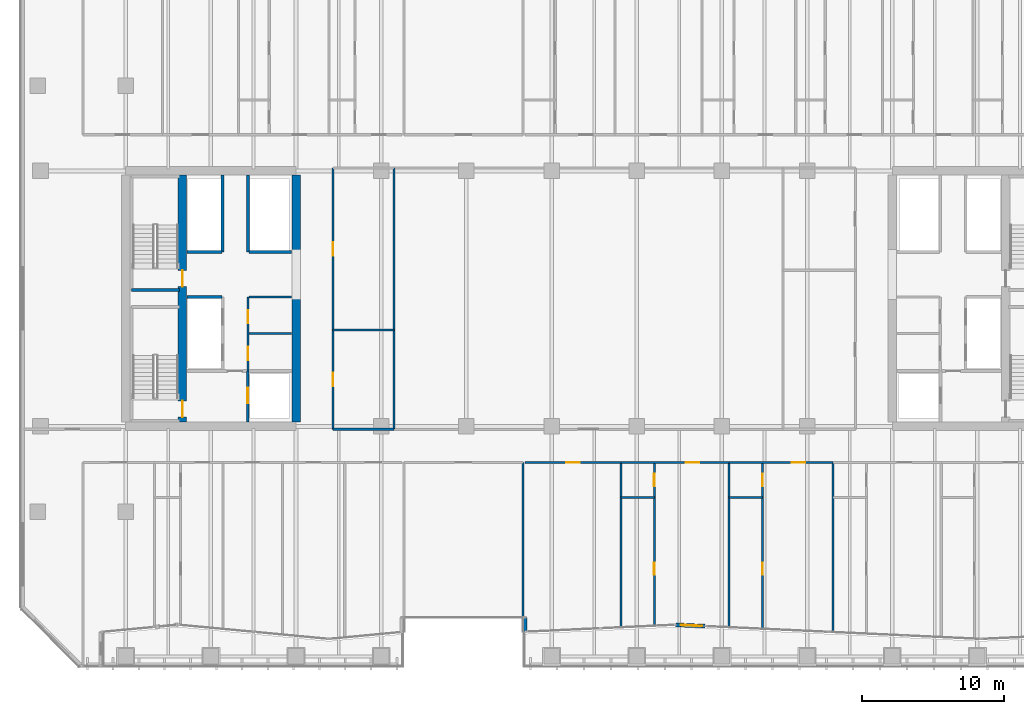
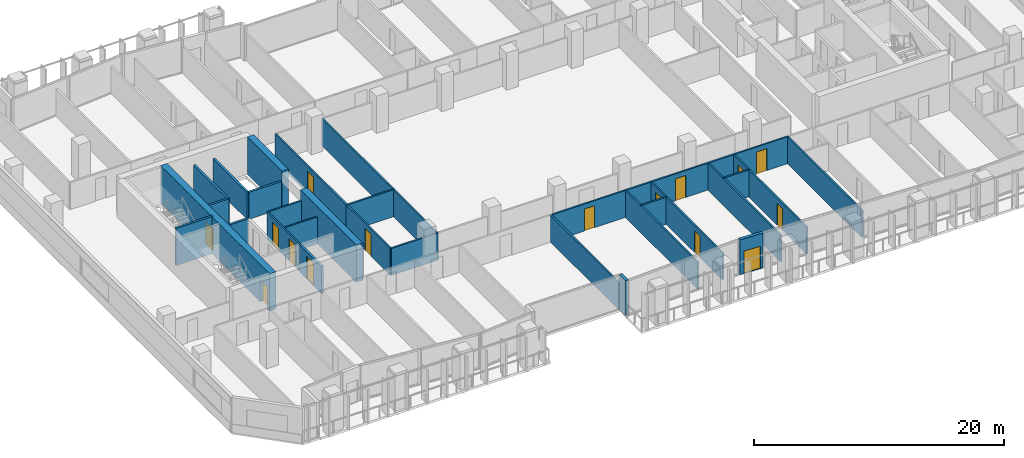
# One storey, part 19 of 31: 31 walls, 15 doors, 15 openings.
"""IFC4 building model written with IfcOpenShell, lengths in metres."""

from ifc_helpers import new_model, si_unit, direction, frame, frame_2d, origin, place, context, subcontext, project, spatial, rectangle, extrude, material, layer, layer_set, type_object, element, fill, save


model = new_model("IFC4")

# Units and contexts
model_context = context("Model", 3, precision=1e-05, world=origin(), true_north=direction((0.0, 1.0)))
body_context = subcontext(model_context, "Body", "Model", "MODEL_VIEW")
ifc_project = project(units=[si_unit("LENGTHUNIT", "METRE"), si_unit("AREAUNIT", "SQUARE_METRE"), si_unit("VOLUMEUNIT", "CUBIC_METRE"), si_unit("PLANEANGLEUNIT", "RADIAN"), si_unit("MASSUNIT", "GRAM", prefix="KILO")], contexts=[model_context])

# Site, building, storey
site_placement = place(None, origin())
site = spatial("IfcSite", under=ifc_project, at=site_placement, CompositionType="ELEMENT")
building_placement = place(site_placement, origin())
building = spatial("IfcBuilding", under=site, at=building_placement, Name="Tanjung Sevakor Pilgrim Tower", CompositionType="ELEMENT")
storey_placement = place(building_placement, frame((0.0, 0.0, 58.739990234375)))
storey = spatial("IfcBuildingStorey", under=building, at=storey_placement, Name="L16", CompositionType="ELEMENT", Elevation=58.739990234375)

# Walls
ifc_material_1 = material(Name="Concrete C60/75", Category="concrete")
ifc_layer_1 = layer(ifc_material_1, 0.60009765625)
ifc_layer_set_1 = layer_set([ifc_layer_1], Name="WALL-CW-600")
wall_type_1 = type_object("IfcWallType", Name="WALL-CW-600", PredefinedType="SHEAR", material=ifc_layer_set_1)
wall_1_placement = place(storey_placement, frame((36.0, 24.89990234375, 0.0), z_axis=(0.0, 0.0, 1.0), x_axis=(0.0, 1.0, 0.0)))
element("IfcWall", 1, at=wall_1_placement, inside=storey, type_object=wall_type_1, Name="L16 W Core Inner Shear Wall South", PredefinedType="SHEAR", context=body_context, shape_type="SweptSolid", body=[
    extrude(rectangle(XDim=8.900146484375, YDim=0.60009765625, at=frame_2d((4.4501953125, 0.0))), origin(), (0.0, 0.0, 1.0), 3.630126953125),
])
wall_2_placement = place(storey_placement, frame((36.0, 36.800048828125, 0.0), z_axis=(0.0, 0.0, 1.0), x_axis=(0.0, 1.0, 0.0)))
element("IfcWall", 2, at=wall_2_placement, inside=storey, type_object=wall_type_1, Name="L16 W Core Inner Shear Wall North", PredefinedType="SHEAR", context=body_context, shape_type="SweptSolid", body=[
    extrude(rectangle(XDim=5.5, YDim=0.60009765625, at=frame_2d((2.75, 0.0))), origin(), (0.0, 0.0, 1.0), 3.630126953125),
])

# Wall, openings, doors
wall_3_placement = place(storey_placement, frame((28.0, 24.89990234375, 0.0), z_axis=(0.0, 0.0, 1.0), x_axis=(0.0, 1.0, 0.0)))
wall_3 = element("IfcWall", 3, at=wall_3_placement, inside=storey, type_object=wall_type_1, Name="L16 W Core Stair Spine Wall", PredefinedType="SHEAR", context=body_context, shape_type="SweptSolid", body=[
    extrude(rectangle(XDim=17.400146484375, YDim=0.60009765625, at=frame_2d((8.7001953125, 0.0))), origin(), (0.0, 0.0, 1.0), 3.630126953125),
])
opening_1_placement = place(wall_3_placement, frame((0.35009765625, 0.0, 0.0)))
opening_1 = element("IfcOpeningElement", 4, at=opening_1_placement, cuts=wall_3, Name="Opening ID-ST1", PredefinedType="OPENING", context=body_context, shape_type="SweptSolid", body=[
    extrude(rectangle(XDim=1.14990234375, YDim=2.14990234375, at=frame_2d((0.574951171875, 1.074951171875))), frame((0.0, 0.31005859375, 0.0), z_axis=(0.0, -1.0, 0.0), x_axis=(1.0, 0.0, 0.0)), (0.0, 0.0, 1.0), 0.6201171875),
])
opening_2_placement = place(wall_3_placement, frame((9.550048828125, 0.0, 0.0)))
opening_2 = element("IfcOpeningElement", 5, at=opening_2_placement, cuts=wall_3, Name="Opening ID-ST1", PredefinedType="OPENING", context=body_context, shape_type="SweptSolid", body=[
    extrude(rectangle(XDim=1.14990234375, YDim=2.14990234375, at=frame_2d((0.574951171875, 1.074951171875))), frame((0.0, 0.31005859375, 0.0), z_axis=(0.0, -1.0, 0.0), x_axis=(1.0, 0.0, 0.0)), (0.0, 0.0, 1.0), 0.6201171875),
])
ifc_material_2 = material(Name="Fire-Rated Steel S355J2", Category="steel")
door_type_1 = type_object("IfcDoorType", Name="DT-FIRE-1150", OperationType="NOTDEFINED", PredefinedType="DOOR", material=ifc_material_2)
door_1_placement = place(opening_1_placement, origin())
door_1 = element("IfcDoor", 6, at=door_1_placement, inside=storey, type_object=door_type_1, Name="L16 TS-W1 Stair Fire Door", OperationType="SINGLE_SWING_RIGHT", OverallHeight=2.14990234375, OverallWidth=1.14990234375, PredefinedType="DOOR", context=body_context, shape_type="SweptSolid", body=[
    extrude(rectangle(XDim=1.14990234375, YDim=2.14990234375, at=frame_2d((0.574951171875, 1.074951171875))), frame((0.0, 0.02490234375, 0.0), z_axis=(0.0, -1.0, 0.0), x_axis=(1.0, 0.0, 0.0)), (0.0, 0.0, 1.0), 0.050048828125),
])
fill(opening_1, door_1)
door_2_placement = place(opening_2_placement, origin())
door_2 = element("IfcDoor", 7, at=door_2_placement, inside=storey, type_object=door_type_1, Name="L16 TS-W2 Stair Fire Door", OperationType="SINGLE_SWING_LEFT", OverallHeight=2.14990234375, OverallWidth=1.14990234375, PredefinedType="DOOR", context=body_context, shape_type="SweptSolid", body=[
    extrude(rectangle(XDim=1.14990234375, YDim=2.14990234375, at=frame_2d((0.574951171875, 1.074951171875))), frame((0.0, 0.02490234375, 0.0), z_axis=(0.0, -1.0, 0.0), x_axis=(1.0, 0.0, 0.0)), (0.0, 0.0, 1.0), 0.050048828125),
])
fill(opening_2, door_2)

# Walls
ifc_material_3 = material(Name="Concrete C40/50", Category="concrete")
ifc_layer_2 = layer(ifc_material_3, 0.14990234375)
ifc_layer_set_2 = layer_set([ifc_layer_2], Name="WT-COMP-150")
wall_type_2 = type_object("IfcWallType", Name="WT-COMP-150", PredefinedType="SOLIDWALL", material=ifc_layer_set_2)
for number, where, z_axis, x_axis, name in (
    (8, (32.679931640625, 31.14990234375, 0.0), (0.0, 0.0, 1.0), (1.0, 0.0, 0.0), "L16 Partition IW-L16-005"),
    (9, (32.679931640625, 33.719970703125, 0.0), (0.0, 0.0, 1.0), (1.0, 0.0, 0.0), "L16 Partition IW-L16-006"),
):
    element("IfcWall", number, at=place(storey_placement, frame(where, z_axis=z_axis, x_axis=x_axis)), inside=storey, type_object=wall_type_2, Name=name, PredefinedType="SOLIDWALL", context=body_context, shape_type="SweptSolid", body=[
        extrude(rectangle(XDim=3.0, YDim=0.14990234375, at=frame_2d((1.5, 0.0))), origin(), (0.0, 0.0, 1.0), 2.6298828125),
    ])

# Wall, openings, doors
wall_4_placement = place(storey_placement, frame((32.6201171875, 28.5, 0.0), z_axis=(0.0, 0.0, 1.0), x_axis=(0.0, 1.0, 0.0)))
wall_4 = element("IfcWall", 10, at=wall_4_placement, inside=storey, type_object=wall_type_2, Name="L16 Partition IW-L16-007", PredefinedType="SOLIDWALL", context=body_context, shape_type="SweptSolid", body=[
    extrude(rectangle(XDim=5.219970703125, YDim=0.14990234375, at=frame_2d((2.60986328125, 0.0))), origin(), (0.0, 0.0, 1.0), 2.6298828125),
])
opening_3_placement = place(wall_4_placement, frame((0.75, 0.0, 0.0)))
opening_3 = element("IfcOpeningElement", 11, at=opening_3_placement, cuts=wall_4, Name="Opening ID-FD2", PredefinedType="OPENING", context=body_context, shape_type="SweptSolid", body=[
    extrude(rectangle(XDim=0.949951171875, YDim=2.14990234375, at=frame_2d((0.47509765625, 1.074951171875))), frame((0.0, 0.0849609375, 0.0), z_axis=(0.0, -1.0, 0.0), x_axis=(1.0, 0.0, 0.0)), (0.0, 0.0, 1.0), 0.169921875),
])
opening_4_placement = place(wall_4_placement, frame((3.35009765625, 0.0, 0.0)))
opening_4 = element("IfcOpeningElement", 12, at=opening_4_placement, cuts=wall_4, Name="Opening ID-FD2", PredefinedType="OPENING", context=body_context, shape_type="SweptSolid", body=[
    extrude(rectangle(XDim=0.949951171875, YDim=2.14990234375, at=frame_2d((0.47509765625, 1.074951171875))), frame((0.0, 0.0849609375, 0.0), z_axis=(0.0, -1.0, 0.0), x_axis=(1.0, 0.0, 0.0)), (0.0, 0.0, 1.0), 0.169921875),
])
ifc_material_4 = material(Name="Fire-Rated Timber", Category="wood")
door_type_2 = type_object("IfcDoorType", Name="DT-FIRE-950", OperationType="NOTDEFINED", PredefinedType="DOOR", material=ifc_material_4)
door_3_placement = place(opening_3_placement, origin())
door_3 = element("IfcDoor", 13, at=door_3_placement, inside=storey, type_object=door_type_2, Name="L16 Accessible WC Door", OperationType="SINGLE_SWING_RIGHT", OverallHeight=2.14990234375, OverallWidth=0.949951171875, PredefinedType="DOOR", context=body_context, shape_type="SweptSolid", body=[
    extrude(rectangle(XDim=0.949951171875, YDim=2.14990234375, at=frame_2d((0.47509765625, 1.074951171875))), frame((0.0, 0.02490234375, 0.0), z_axis=(0.0, -1.0, 0.0), x_axis=(1.0, 0.0, 0.0)), (0.0, 0.0, 1.0), 0.050048828125),
])
fill(opening_3, door_3)
door_4_placement = place(opening_4_placement, origin())
door_4 = element("IfcDoor", 14, at=door_4_placement, inside=storey, type_object=door_type_2, Name="L16 Core Service Door", OperationType="SINGLE_SWING_LEFT", OverallHeight=2.14990234375, OverallWidth=0.949951171875, PredefinedType="DOOR", context=body_context, shape_type="SweptSolid", body=[
    extrude(rectangle(XDim=0.949951171875, YDim=2.14990234375, at=frame_2d((0.47509765625, 1.074951171875))), frame((0.0, 0.02490234375, 0.0), z_axis=(0.0, -1.0, 0.0), x_axis=(1.0, 0.0, 0.0)), (0.0, 0.0, 1.0), 0.050048828125),
])
fill(opening_4, door_4)

# Walls
wall_5_placement = place(storey_placement, frame((38.60009765625, 24.39990234375, 0.0), z_axis=(0.0, 0.0, 1.0), x_axis=(1.0, 0.0, 0.0)))
element("IfcWall", 15, at=wall_5_placement, inside=storey, type_object=wall_type_2, Name="L16 Partition IW-L16-023", PredefinedType="SOLIDWALL", context=body_context, shape_type="SweptSolid", body=[
    extrude(rectangle(XDim=4.2998046875, YDim=0.14990234375, at=frame_2d((2.14990234375, 0.0))), origin(), (0.0, 0.0, 1.0), 2.625244140625),
])
wall_6_placement = place(storey_placement, frame((38.60009765625, 31.39990234375, 0.0), z_axis=(0.0, 0.0, 1.0), x_axis=(1.0, 0.0, 0.0)))
element("IfcWall", 16, at=wall_6_placement, inside=storey, type_object=wall_type_2, Name="L16 Partition IW-L16-024", PredefinedType="SOLIDWALL", context=body_context, shape_type="SweptSolid", body=[
    extrude(rectangle(XDim=4.2998046875, YDim=0.14990234375, at=frame_2d((2.14990234375, 0.0))), origin(), (0.0, 0.0, 1.0), 2.6298828125),
])

# Wall, opening, door
wall_7_placement = place(storey_placement, frame((38.60009765625, 24.39990234375, 0.0), z_axis=(0.0, 0.0, 1.0), x_axis=(0.0, 1.0, 0.0)))
wall_7 = element("IfcWall", 17, at=wall_7_placement, inside=storey, type_object=wall_type_2, Name="L16 Partition IW-L16-025", PredefinedType="SOLIDWALL", context=body_context, shape_type="SweptSolid", body=[
    extrude(rectangle(XDim=7.0, YDim=0.14990234375, at=frame_2d((3.5, 0.0))), origin(), (0.0, 0.0, 1.0), 2.6298828125),
])
opening_5_placement = place(wall_7_placement, frame((3.02490234375, 0.0, 0.0)))
opening_5 = element("IfcOpeningElement", 18, at=opening_5_placement, cuts=wall_7, Name="Opening ID-RM1", PredefinedType="OPENING", context=body_context, shape_type="SweptSolid", body=[
    extrude(rectangle(XDim=0.949951171875, YDim=2.14990234375, at=frame_2d((0.47509765625, 1.074951171875))), frame((0.0, 0.0849609375, 0.0), z_axis=(0.0, -1.0, 0.0), x_axis=(1.0, 0.0, 0.0)), (0.0, 0.0, 1.0), 0.169921875),
])
ifc_material_5 = material(Name="Hardwood Timber", Category="wood")
door_type_3 = type_object("IfcDoorType", Name="DT-INT-950", OperationType="NOTDEFINED", PredefinedType="DOOR", material=ifc_material_5)
door_5_placement = place(opening_5_placement, origin())
door_5 = element("IfcDoor", 19, at=door_5_placement, inside=storey, type_object=door_type_3, Name="L16 Male Ablution Door", OperationType="SINGLE_SWING_RIGHT", OverallHeight=2.14990234375, OverallWidth=0.949951171875, PredefinedType="DOOR", context=body_context, shape_type="SweptSolid", body=[
    extrude(rectangle(XDim=0.949951171875, YDim=2.14990234375, at=frame_2d((0.47509765625, 1.074951171875))), frame((0.0, 0.02490234375, 0.0), z_axis=(0.0, -1.0, 0.0), x_axis=(1.0, 0.0, 0.0)), (0.0, 0.0, 1.0), 0.050048828125),
])
fill(opening_5, door_5)

wall_8_placement = place(storey_placement, frame((38.60009765625, 31.39990234375, 0.0), z_axis=(0.0, 0.0, 1.0), x_axis=(0.0, 1.0, 0.0)))
wall_8 = element("IfcWall", 20, at=wall_8_placement, inside=storey, type_object=wall_type_2, Name="L16 Partition IW-L16-027", PredefinedType="SOLIDWALL", context=body_context, shape_type="SweptSolid", body=[
    extrude(rectangle(XDim=11.400146484375, YDim=0.14990234375, at=frame_2d((5.7001953125, 0.0))), origin(), (0.0, 0.0, 1.0), 2.6298828125),
])
opening_6_placement = place(wall_8_placement, frame((5.22509765625, 0.0, 0.0)))
opening_6 = element("IfcOpeningElement", 21, at=opening_6_placement, cuts=wall_8, Name="Opening ID-RM1", PredefinedType="OPENING", context=body_context, shape_type="SweptSolid", body=[
    extrude(rectangle(XDim=0.949951171875, YDim=2.14990234375, at=frame_2d((0.47509765625, 1.074951171875))), frame((0.0, 0.0849609375, 0.0), z_axis=(0.0, -1.0, 0.0), x_axis=(1.0, 0.0, 0.0)), (0.0, 0.0, 1.0), 0.169921875),
])
door_6_placement = place(opening_6_placement, origin())
door_6 = element("IfcDoor", 22, at=door_6_placement, inside=storey, type_object=door_type_3, Name="L16 Male Washroom Door", OperationType="SINGLE_SWING_LEFT", OverallHeight=2.14990234375, OverallWidth=0.949951171875, PredefinedType="DOOR", context=body_context, shape_type="SweptSolid", body=[
    extrude(rectangle(XDim=0.949951171875, YDim=2.14990234375, at=frame_2d((0.47509765625, 1.074951171875))), frame((0.0, 0.02490234375, 0.0), z_axis=(0.0, -1.0, 0.0), x_axis=(1.0, 0.0, 0.0)), (0.0, 0.0, 1.0), 0.050048828125),
])
fill(opening_6, door_6)

# Walls
wall_9_placement = place(storey_placement, frame((42.89990234375, 24.39990234375, 0.0), z_axis=(0.0, 0.0, 1.0), x_axis=(0.0, 1.0, 0.0)))
element("IfcWall", 23, at=wall_9_placement, inside=storey, type_object=wall_type_2, Name="L16 Partition IW-L16-030", PredefinedType="SOLIDWALL", context=body_context, shape_type="SweptSolid", body=[
    extrude(rectangle(XDim=18.400146484375, YDim=0.14990234375, at=frame_2d((9.2001953125, 0.0))), origin(), (0.0, 0.0, 1.0), 2.6298828125),
])
wall_10_placement = place(storey_placement, frame((52.0, 11.139892578125, 0.0), z_axis=(0.0, 0.0, 1.0), x_axis=(0.0, 1.0, 0.0)))
element("IfcWall", 24, at=wall_10_placement, inside=storey, type_object=wall_type_2, Name="L16 Partition IW-L16-046", PredefinedType="SOLIDWALL", context=body_context, shape_type="SweptSolid", body=[
    extrude(rectangle(XDim=10.91015625, YDim=0.14990234375, at=frame_2d((5.455078125, 0.0))), origin(), (0.0, 0.0, 1.0), 2.6298828125),
])
wall_11_placement = place(storey_placement, frame((58.888916015625, 10.440673828125, 0.0), z_axis=(0.0, 0.0, 1.0), x_axis=(0.0, 1.0, 0.0)))
element("IfcWall", 25, at=wall_11_placement, inside=storey, type_object=wall_type_2, Name="L16 Partition IW-L16-063", PredefinedType="SOLIDWALL", context=body_context, shape_type="SweptSolid", body=[
    extrude(rectangle(XDim=11.609375, YDim=0.14990234375, at=frame_2d((5.8046875, 0.0))), origin(), (0.0, 0.0, 1.0), 2.6298828125),
])

# Wall, opening, door
wall_12_placement = place(storey_placement, frame((52.1201171875, 22.050048828125, 0.0), z_axis=(0.0, 0.0, 1.0), x_axis=(1.0, 0.0, 0.0)))
wall_12 = element("IfcWall", 26, at=wall_12_placement, inside=storey, type_object=wall_type_2, Name="L16 Partition IW-L16-064", PredefinedType="SOLIDWALL", context=body_context, shape_type="SweptSolid", body=[
    extrude(rectangle(XDim=6.768798828125, YDim=0.14990234375, at=frame_2d((3.38427734375, 0.0))), origin(), (0.0, 0.0, 1.0), 2.6298828125),
])
opening_7_placement = place(wall_12_placement, frame((2.909423828125, 0.0, 0.0)))
opening_7 = element("IfcOpeningElement", 27, at=opening_7_placement, cuts=wall_12, Name="Opening ID-FD2", PredefinedType="OPENING", context=body_context, shape_type="SweptSolid", body=[
    extrude(rectangle(XDim=0.949951171875, YDim=2.14990234375, at=frame_2d((0.47509765625, 1.074951171875))), frame((0.0, 0.0849609375, 0.0), z_axis=(0.0, -1.0, 0.0), x_axis=(1.0, 0.0, 0.0)), (0.0, 0.0, 1.0), 0.169921875),
])
door_7_placement = place(opening_7_placement, origin())
door_7 = element("IfcDoor", 28, at=door_7_placement, inside=storey, type_object=door_type_2, Name="Housekeeping Pantry Door", OperationType="SINGLE_SWING_LEFT", OverallHeight=2.14990234375, OverallWidth=0.949951171875, PredefinedType="DOOR", context=body_context, shape_type="SweptSolid", body=[
    extrude(rectangle(XDim=0.949951171875, YDim=2.14990234375, at=frame_2d((0.47509765625, 1.074951171875))), frame((0.0, 0.02490234375, 0.0), z_axis=(0.0, -1.0, 0.0), x_axis=(1.0, 0.0, 0.0)), (0.0, 0.0, 1.0), 0.050048828125),
])
fill(opening_7, door_7)

# Wall
wall_13_placement = place(storey_placement, frame((66.50390625, 10.445556640625, 0.0), z_axis=(0.0, 0.0, 1.0), x_axis=(0.0, 1.0, 0.0)))
element("IfcWall", 29, at=wall_13_placement, inside=storey, type_object=wall_type_2, Name="L16 Partition IW-L16-065", PredefinedType="SOLIDWALL", context=body_context, shape_type="SweptSolid", body=[
    extrude(rectangle(XDim=11.6044921875, YDim=0.14990234375, at=frame_2d((5.80224609375, 0.0))), origin(), (0.0, 0.0, 1.0), 2.6298828125),
])

# Wall, opening, door
wall_14_placement = place(storey_placement, frame((58.888916015625, 22.050048828125, 0.0), z_axis=(0.0, 0.0, 1.0), x_axis=(1.0, 0.0, 0.0)))
wall_14 = element("IfcWall", 30, at=wall_14_placement, inside=storey, type_object=wall_type_2, Name="L16 Partition IW-L16-068", PredefinedType="SOLIDWALL", context=body_context, shape_type="SweptSolid", body=[
    extrude(rectangle(XDim=7.614990234375, YDim=0.14990234375, at=frame_2d((3.8076171875, 0.0))), origin(), (0.0, 0.0, 1.0), 2.6298828125),
])
opening_8_placement = place(wall_14_placement, frame((4.547607421875, 0.0, 0.0)))
opening_8 = element("IfcOpeningElement", 31, at=opening_8_placement, cuts=wall_14, Name="Opening ID-FD2", PredefinedType="OPENING", context=body_context, shape_type="SweptSolid", body=[
    extrude(rectangle(XDim=0.949951171875, YDim=2.14990234375, at=frame_2d((0.47509765625, 1.074951171875))), frame((0.0, 0.0849609375, 0.0), z_axis=(0.0, -1.0, 0.0), x_axis=(1.0, 0.0, 0.0)), (0.0, 0.0, 1.0), 0.169921875),
])
door_8_placement = place(opening_8_placement, origin())
door_8 = element("IfcDoor", 32, at=door_8_placement, inside=storey, type_object=door_type_2, Name="Hostel Quad Entrance", OperationType="SINGLE_SWING_RIGHT", OverallHeight=2.14990234375, OverallWidth=0.949951171875, PredefinedType="DOOR", context=body_context, shape_type="SweptSolid", body=[
    extrude(rectangle(XDim=0.949951171875, YDim=2.14990234375, at=frame_2d((0.47509765625, 1.074951171875))), frame((0.0, 0.02490234375, 0.0), z_axis=(0.0, -1.0, 0.0), x_axis=(1.0, 0.0, 0.0)), (0.0, 0.0, 1.0), 0.050048828125),
])
fill(opening_8, door_8)

# Wall
wall_15_placement = place(storey_placement, frame((73.8369140625, 10.1044921875, 0.0), z_axis=(0.0, 0.0, 1.0), x_axis=(0.0, 1.0, 0.0)))
element("IfcWall", 33, at=wall_15_placement, inside=storey, type_object=wall_type_2, Name="L16 Partition IW-L16-069", PredefinedType="SOLIDWALL", context=body_context, shape_type="SweptSolid", body=[
    extrude(rectangle(XDim=11.945556640625, YDim=0.14990234375, at=frame_2d((5.97265625, 0.0))), origin(), (0.0, 0.0, 1.0), 2.6298828125),
])

# Wall, opening, door
wall_16_placement = place(storey_placement, frame((66.50390625, 22.050048828125, 0.0), z_axis=(0.0, 0.0, 1.0), x_axis=(1.0, 0.0, 0.0)))
wall_16 = element("IfcWall", 34, at=wall_16_placement, inside=storey, type_object=wall_type_2, Name="L16 Partition IW-L16-072", PredefinedType="SOLIDWALL", context=body_context, shape_type="SweptSolid", body=[
    extrude(rectangle(XDim=7.3330078125, YDim=0.14990234375, at=frame_2d((3.66650390625, 0.0))), origin(), (0.0, 0.0, 1.0), 2.6298828125),
])
opening_9_placement = place(wall_16_placement, frame((4.406494140625, 0.0, 0.0)))
opening_9 = element("IfcOpeningElement", 35, at=opening_9_placement, cuts=wall_16, Name="Opening ID-FD2", PredefinedType="OPENING", context=body_context, shape_type="SweptSolid", body=[
    extrude(rectangle(XDim=0.949951171875, YDim=2.14990234375, at=frame_2d((0.47509765625, 1.074951171875))), frame((0.0, 0.0849609375, 0.0), z_axis=(0.0, -1.0, 0.0), x_axis=(1.0, 0.0, 0.0)), (0.0, 0.0, 1.0), 0.169921875),
])
door_9_placement = place(opening_9_placement, origin())
door_9 = element("IfcDoor", 36, at=door_9_placement, inside=storey, type_object=door_type_2, Name="Hostel Quad Entrance", OperationType="SINGLE_SWING_LEFT", OverallHeight=2.14990234375, OverallWidth=0.949951171875, PredefinedType="DOOR", context=body_context, shape_type="SweptSolid", body=[
    extrude(rectangle(XDim=0.949951171875, YDim=2.14990234375, at=frame_2d((0.47509765625, 1.074951171875))), frame((0.0, 0.02490234375, 0.0), z_axis=(0.0, -1.0, 0.0), x_axis=(1.0, 0.0, 0.0)), (0.0, 0.0, 1.0), 0.050048828125),
])
fill(opening_9, door_9)

# Wall
ifc_material_6 = material(Name="Precast concrete C45/55", Category="concrete")
ifc_layer_3 = layer(ifc_material_6, 0.280029296875)
ifc_layer_set_3 = layer_set([ifc_layer_3], Name="WT-EW-STN2")
wall_type_3 = type_object("IfcWallType", Name="WT-EW-STN2", PredefinedType="SOLIDWALL", material=ifc_layer_set_3)
wall_17_placement = place(storey_placement, frame((52.139892578125, 11.139892578125, 0.0), z_axis=(0.0, 0.0, 1.0), x_axis=(0.0, -1.0, 0.0)))
element("IfcWall", 37, at=wall_17_placement, inside=storey, type_object=wall_type_3, Name="L16 MAIN Exterior Wall 9", PredefinedType="SOLIDWALL", context=body_context, shape_type="SweptSolid", body=[
    extrude(rectangle(XDim=1.01318359375, YDim=0.280029296875, at=frame_2d((0.506591796875, 0.0))), origin(), (0.0, 0.0, 1.0), 3.409912109375),
])

# Wall, opening, door
wall_18_placement = place(storey_placement, frame((62.75, 10.6201171875, 0.0), z_axis=(0.0, 0.0, 1.0), x_axis=(0.998920341886, -0.04645589916, 0.0)))
wall_18 = element("IfcWall", 38, at=wall_18_placement, inside=storey, type_object=wall_type_3, Name="L16 S-Curve Terrace Threshold Wall 10", PredefinedType="SOLIDWALL", context=body_context, shape_type="SweptSolid", body=[
    extrude(rectangle(XDim=2.06005859375, YDim=0.280029296875, at=frame_2d((1.030029296875, 0.0))), origin(), (0.0, 0.0, 1.0), 3.409912109375),
])
opening_10_placement = place(wall_18_placement, frame((0.35009765625, 0.0, 0.0)))
opening_10 = element("IfcOpeningElement", 39, at=opening_10_placement, cuts=wall_18, Name="Opening ED-TER-1500", PredefinedType="OPENING", context=body_context, shape_type="SweptSolid", body=[
    extrude(rectangle(XDim=1.5, YDim=2.199951171875, at=frame_2d((0.75, 1.10009765625))), frame((0.0, 0.14990234375, 0.0), z_axis=(0.0, -1.0, 0.0), x_axis=(1.0, 0.0, 0.0)), (0.0, 0.0, 1.0), 0.300048828125),
])
ifc_material_7 = material(Name="Anodised Aluminium and Laminated Glass", Category="aluminium")
door_type_4 = type_object("IfcDoorType", Name="DTYP-ED-TER-1500", OperationType="DOUBLE_DOOR_SINGLE_SWING", PredefinedType="DOOR", material=ifc_material_7)
door_10_placement = place(opening_10_placement, frame((1.5, 0.0, 0.0), z_axis=(0.0, 0.0, 1.0), x_axis=(-1.0, 0.0, 0.0)))
door_10 = element("IfcDoor", 40, at=door_10_placement, inside=storey, type_object=door_type_4, Name="L16 S-Curve Terrace Access Door 10", OperationType="SINGLE_SWING_LEFT", OverallHeight=2.199951171875, OverallWidth=1.5, PredefinedType="DOOR", context=body_context, shape_type="SweptSolid", body=[
    extrude(rectangle(XDim=1.5, YDim=2.199951171875, at=frame_2d((0.75, 1.10009765625))), frame((0.0, 0.02490234375, 0.0), z_axis=(0.0, -1.0, 0.0), x_axis=(1.0, 0.0, 0.0)), (0.0, 0.0, 1.0), 0.050048828125),
])
fill(opening_10, door_10)

# Wall
ifc_material_8 = material(Name="Concrete C40/50", Category="concrete")
ifc_layer_4 = layer(ifc_material_8, 0.199951171875)
ifc_layer_set_4 = layer_set([ifc_layer_4], Name="WT-FIRE-200")
wall_type_4 = type_object("IfcWallType", Name="WT-FIRE-200", PredefinedType="SOLIDWALL", material=ifc_layer_set_4)
wall_19_placement = place(storey_placement, frame((24.39990234375, 34.199951171875, 0.0), z_axis=(0.0, 0.0, 1.0), x_axis=(1.0, 0.0, 0.0)))
element("IfcWall", 41, at=wall_19_placement, inside=storey, type_object=wall_type_4, Name="L16 TS-W2 Shaft Wall 1", PredefinedType="SOLIDWALL", context=body_context, shape_type="SweptSolid", body=[
    extrude(rectangle(XDim=3.400146484375, YDim=0.199951171875, at=frame_2d((1.7001953125, 0.0))), origin(), (0.0, 0.0, 1.0), 3.630126953125),
])

# Wall, opening, door
ifc_material_9 = material(Name="Concrete C40/50", Category="concrete")
ifc_layer_5 = layer(ifc_material_9, 0.199951171875)
ifc_layer_set_5 = layer_set([ifc_layer_5], Name="WT-FPRT-200")
wall_type_5 = type_object("IfcWallType", Name="WT-FPRT-200", PredefinedType="SOLIDWALL", material=ifc_layer_set_5)
wall_20_placement = place(storey_placement, frame((32.60009765625, 24.919921875, 0.0), z_axis=(0.0, 0.0, 1.0), x_axis=(0.0, 1.0, 0.0)))
wall_20 = element("IfcWall", 42, at=wall_20_placement, inside=storey, type_object=wall_type_5, Name="L16 Partition IW-L16-001", PredefinedType="SOLIDWALL", context=body_context, shape_type="SweptSolid", body=[
    extrude(rectangle(XDim=3.580078125, YDim=0.199951171875, at=frame_2d((1.7900390625, 0.0))), origin(), (0.0, 0.0, 1.0), 2.6298828125),
])
opening_11_placement = place(wall_20_placement, frame((1.300048828125, 0.0, 0.0)))
opening_11 = element("IfcOpeningElement", 43, at=opening_11_placement, cuts=wall_20, Name="Opening LD-1100", PredefinedType="OPENING", context=body_context, shape_type="SweptSolid", body=[
    extrude(rectangle(XDim=1.10009765625, YDim=2.199951171875, at=frame_2d((0.550048828125, 1.10009765625))), frame((0.0, 0.10986328125, 0.0), z_axis=(0.0, -1.0, 0.0), x_axis=(1.0, 0.0, 0.0)), (0.0, 0.0, 1.0), 0.219970703125),
])
ifc_material_10 = material(Name="Brushed Stainless Steel S355J2", Category="steel")
door_type_5 = type_object("IfcDoorType", Name="DT-LIFT-1100", OperationType="SLIDING_TO_LEFT", PredefinedType="DOOR", material=ifc_material_10)
door_11_placement = place(opening_11_placement, origin())
door_11 = element("IfcDoor", 44, at=door_11_placement, inside=storey, type_object=door_type_5, Name="LD-FL-W", OperationType="SLIDING_TO_LEFT", OverallHeight=2.199951171875, OverallWidth=1.10009765625, PredefinedType="DOOR", context=body_context, shape_type="SweptSolid", body=[
    extrude(rectangle(XDim=1.10009765625, YDim=2.199951171875, at=frame_2d((0.550048828125, 1.10009765625))), frame((0.0, 0.02490234375, 0.0), z_axis=(0.0, -1.0, 0.0), x_axis=(1.0, 0.0, 0.0)), (0.0, 0.0, 1.0), 0.050048828125),
])
fill(opening_11, door_11)

# Walls
for number, where, z_axis, x_axis, name in (
    (45, (28.320068359375, 33.719970703125, 0.0), (0.0, 0.0, 1.0), (1.0, 0.0, 0.0), "L16 Partition IW-L16-003"),
    (46, (28.320068359375, 36.8798828125, 0.0), (0.0, 0.0, 1.0), (1.0, 0.0, 0.0), "L16 Partition IW-L16-008"),
):
    element("IfcWall", number, at=place(storey_placement, frame(where, z_axis=z_axis, x_axis=x_axis)), inside=storey, type_object=wall_type_5, Name=name, PredefinedType="SOLIDWALL", context=body_context, shape_type="SweptSolid", body=[
        extrude(rectangle(XDim=2.47998046875, YDim=0.199951171875, at=frame_2d((1.239990234375, 0.0))), origin(), (0.0, 0.0, 1.0), 2.6298828125),
    ])
wall_21_placement = place(storey_placement, frame((30.820068359375, 36.8798828125, 0.0), z_axis=(0.0, 0.0, 1.0), x_axis=(0.0, 1.0, 0.0)))
element("IfcWall", 47, at=wall_21_placement, inside=storey, type_object=wall_type_5, Name="L16 Partition IW-L16-009", PredefinedType="SOLIDWALL", context=body_context, shape_type="SweptSolid", body=[
    extrude(rectangle(XDim=5.420166015625, YDim=0.199951171875, at=frame_2d((2.7099609375, 0.0))), origin(), (0.0, 0.0, 1.0), 2.6298828125),
])
wall_22_placement = place(storey_placement, frame((32.679931640625, 36.8798828125, 0.0), z_axis=(0.0, 0.0, 1.0), x_axis=(1.0, 0.0, 0.0)))
element("IfcWall", 48, at=wall_22_placement, inside=storey, type_object=wall_type_5, Name="L16 Partition IW-L16-010", PredefinedType="SOLIDWALL", context=body_context, shape_type="SweptSolid", body=[
    extrude(rectangle(XDim=3.0, YDim=0.199951171875, at=frame_2d((1.5, 0.0))), origin(), (0.0, 0.0, 1.0), 2.6298828125),
])
wall_23_placement = place(storey_placement, frame((32.6201171875, 36.8798828125, 0.0), z_axis=(0.0, 0.0, 1.0), x_axis=(0.0, 1.0, 0.0)))
element("IfcWall", 49, at=wall_23_placement, inside=storey, type_object=wall_type_5, Name="L16 Partition IW-L16-011", PredefinedType="SOLIDWALL", context=body_context, shape_type="SweptSolid", body=[
    extrude(rectangle(XDim=5.420166015625, YDim=0.199951171875, at=frame_2d((2.7099609375, 0.0))), origin(), (0.0, 0.0, 1.0), 2.6298828125),
])
ifc_material_11 = material(Name="Gypsum Board Partition", Category="gypsum board")
ifc_layer_6 = layer(ifc_material_11, 0.14990234375)
ifc_layer_set_6 = layer_set([ifc_layer_6], Name="WT-PART-150")
wall_type_6 = type_object("IfcWallType", Name="WT-PART-150", PredefinedType="PARTITIONING", material=ifc_layer_set_6)
wall_24_placement = place(storey_placement, frame((58.888916015625, 19.60009765625, 0.0), z_axis=(0.0, 0.0, 1.0), x_axis=(1.0, 0.0, 0.0)))
element("IfcWall", 50, at=wall_24_placement, inside=storey, type_object=wall_type_6, Name="L16 Partition IW-L16-066", PredefinedType="PARTITIONING", context=body_context, shape_type="SweptSolid", body=[
    extrude(rectangle(XDim=2.35009765625, YDim=0.14990234375, at=frame_2d((1.175048828125, 0.0))), origin(), (0.0, 0.0, 1.0), 2.6298828125),
])

# Wall, openings, doors
wall_25_placement = place(storey_placement, frame((61.239013671875, 10.5498046875, 0.0), z_axis=(0.0, 0.0, 1.0), x_axis=(0.0, 1.0, 0.0)))
wall_25 = element("IfcWall", 51, at=wall_25_placement, inside=storey, type_object=wall_type_6, Name="L16 Partition IW-L16-067", PredefinedType="PARTITIONING", context=body_context, shape_type="SweptSolid", body=[
    extrude(rectangle(XDim=11.500244140625, YDim=0.14990234375, at=frame_2d((5.75, 0.0))), origin(), (0.0, 0.0, 1.0), 2.6298828125),
])
opening_12_placement = place(wall_25_placement, frame((3.60009765625, 0.0, 0.0)))
opening_12 = element("IfcOpeningElement", 52, at=opening_12_placement, cuts=wall_25, Name="Opening ID-WC1", PredefinedType="OPENING", context=body_context, shape_type="SweptSolid", body=[
    extrude(rectangle(XDim=0.85009765625, YDim=2.10009765625, at=frame_2d((0.425048828125, 1.050048828125))), frame((0.0, 0.0849609375, 0.0), z_axis=(0.0, -1.0, 0.0), x_axis=(1.0, 0.0, 0.0)), (0.0, 0.0, 1.0), 0.169921875),
])
opening_13_placement = place(wall_25_placement, frame((9.85009765625, 0.0, 0.0)))
opening_13 = element("IfcOpeningElement", 53, at=opening_13_placement, cuts=wall_25, Name="Opening ID-WC1", PredefinedType="OPENING", context=body_context, shape_type="SweptSolid", body=[
    extrude(rectangle(XDim=0.85009765625, YDim=2.10009765625, at=frame_2d((0.425048828125, 1.050048828125))), frame((0.0, 0.0849609375, 0.0), z_axis=(0.0, -1.0, 0.0), x_axis=(1.0, 0.0, 0.0)), (0.0, 0.0, 1.0), 0.169921875),
])
ifc_material_12 = material(Name="Moisture-Resistant Timber", Category="wood")
door_type_6 = type_object("IfcDoorType", Name="DT-INT-850", OperationType="NOTDEFINED", PredefinedType="DOOR", material=ifc_material_12)
door_12_placement = place(opening_12_placement, origin())
door_12 = element("IfcDoor", 54, at=door_12_placement, inside=storey, type_object=door_type_6, Name="Study Nook Door", OperationType="SINGLE_SWING_RIGHT", OverallHeight=2.10009765625, OverallWidth=0.85009765625, PredefinedType="DOOR", context=body_context, shape_type="SweptSolid", body=[
    extrude(rectangle(XDim=0.85009765625, YDim=2.10009765625, at=frame_2d((0.425048828125, 1.050048828125))), frame((0.0, 0.02490234375, 0.0), z_axis=(0.0, -1.0, 0.0), x_axis=(1.0, 0.0, 0.0)), (0.0, 0.0, 1.0), 0.050048828125),
])
fill(opening_12, door_12)
door_13_placement = place(opening_13_placement, origin())
door_13 = element("IfcDoor", 55, at=door_13_placement, inside=storey, type_object=door_type_6, Name="Bathroom Door", OperationType="SINGLE_SWING_LEFT", OverallHeight=2.10009765625, OverallWidth=0.85009765625, PredefinedType="DOOR", context=body_context, shape_type="SweptSolid", body=[
    extrude(rectangle(XDim=0.85009765625, YDim=2.10009765625, at=frame_2d((0.425048828125, 1.050048828125))), frame((0.0, 0.02490234375, 0.0), z_axis=(0.0, -1.0, 0.0), x_axis=(1.0, 0.0, 0.0)), (0.0, 0.0, 1.0), 0.050048828125),
])
fill(opening_13, door_13)

# Wall
wall_26_placement = place(storey_placement, frame((66.50390625, 19.60009765625, 0.0), z_axis=(0.0, 0.0, 1.0), x_axis=(1.0, 0.0, 0.0)))
element("IfcWall", 56, at=wall_26_placement, inside=storey, type_object=wall_type_6, Name="L16 Partition IW-L16-070", PredefinedType="PARTITIONING", context=body_context, shape_type="SweptSolid", body=[
    extrude(rectangle(XDim=2.35009765625, YDim=0.14990234375, at=frame_2d((1.175048828125, 0.0))), origin(), (0.0, 0.0, 1.0), 2.6298828125),
])

# Wall, openings, doors
wall_27_placement = place(storey_placement, frame((68.85400390625, 10.336181640625, 0.0), z_axis=(0.0, 0.0, 1.0), x_axis=(0.0, 1.0, 0.0)))
wall_27 = element("IfcWall", 57, at=wall_27_placement, inside=storey, type_object=wall_type_6, Name="L16 Partition IW-L16-071", PredefinedType="PARTITIONING", context=body_context, shape_type="SweptSolid", body=[
    extrude(rectangle(XDim=11.7138671875, YDim=0.14990234375, at=frame_2d((5.85693359375, 0.0))), origin(), (0.0, 0.0, 1.0), 2.6298828125),
])
opening_14_placement = place(wall_27_placement, frame((3.813720703125, 0.0, 0.0)))
opening_14 = element("IfcOpeningElement", 58, at=opening_14_placement, cuts=wall_27, Name="Opening ID-WC1", PredefinedType="OPENING", context=body_context, shape_type="SweptSolid", body=[
    extrude(rectangle(XDim=0.85009765625, YDim=2.10009765625, at=frame_2d((0.425048828125, 1.050048828125))), frame((0.0, 0.0849609375, 0.0), z_axis=(0.0, -1.0, 0.0), x_axis=(1.0, 0.0, 0.0)), (0.0, 0.0, 1.0), 0.169921875),
])
opening_15_placement = place(wall_27_placement, frame((10.063720703125, 0.0, 0.0)))
opening_15 = element("IfcOpeningElement", 59, at=opening_15_placement, cuts=wall_27, Name="Opening ID-WC1", PredefinedType="OPENING", context=body_context, shape_type="SweptSolid", body=[
    extrude(rectangle(XDim=0.85009765625, YDim=2.10009765625, at=frame_2d((0.425048828125, 1.050048828125))), frame((0.0, 0.0849609375, 0.0), z_axis=(0.0, -1.0, 0.0), x_axis=(1.0, 0.0, 0.0)), (0.0, 0.0, 1.0), 0.169921875),
])
door_14_placement = place(opening_14_placement, origin())
door_14 = element("IfcDoor", 60, at=door_14_placement, inside=storey, type_object=door_type_6, Name="Study Nook Door", OperationType="SINGLE_SWING_LEFT", OverallHeight=2.10009765625, OverallWidth=0.85009765625, PredefinedType="DOOR", context=body_context, shape_type="SweptSolid", body=[
    extrude(rectangle(XDim=0.85009765625, YDim=2.10009765625, at=frame_2d((0.425048828125, 1.050048828125))), frame((0.0, 0.02490234375, 0.0), z_axis=(0.0, -1.0, 0.0), x_axis=(1.0, 0.0, 0.0)), (0.0, 0.0, 1.0), 0.050048828125),
])
fill(opening_14, door_14)
door_15_placement = place(opening_15_placement, origin())
door_15 = element("IfcDoor", 61, at=door_15_placement, inside=storey, type_object=door_type_6, Name="Bathroom Door", OperationType="SINGLE_SWING_RIGHT", OverallHeight=2.10009765625, OverallWidth=0.85009765625, PredefinedType="DOOR", context=body_context, shape_type="SweptSolid", body=[
    extrude(rectangle(XDim=0.85009765625, YDim=2.10009765625, at=frame_2d((0.425048828125, 1.050048828125))), frame((0.0, 0.02490234375, 0.0), z_axis=(0.0, -1.0, 0.0), x_axis=(1.0, 0.0, 0.0)), (0.0, 0.0, 1.0), 0.050048828125),
])
fill(opening_15, door_15)

save(model, "model.ifc")
